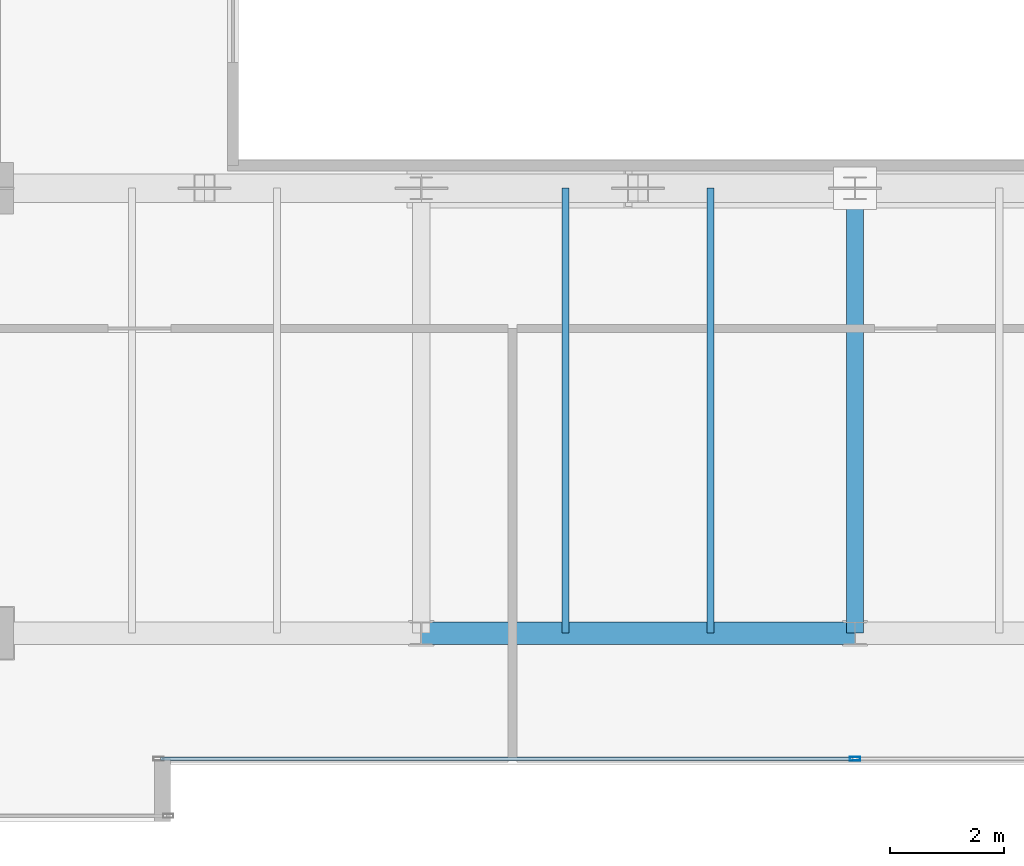
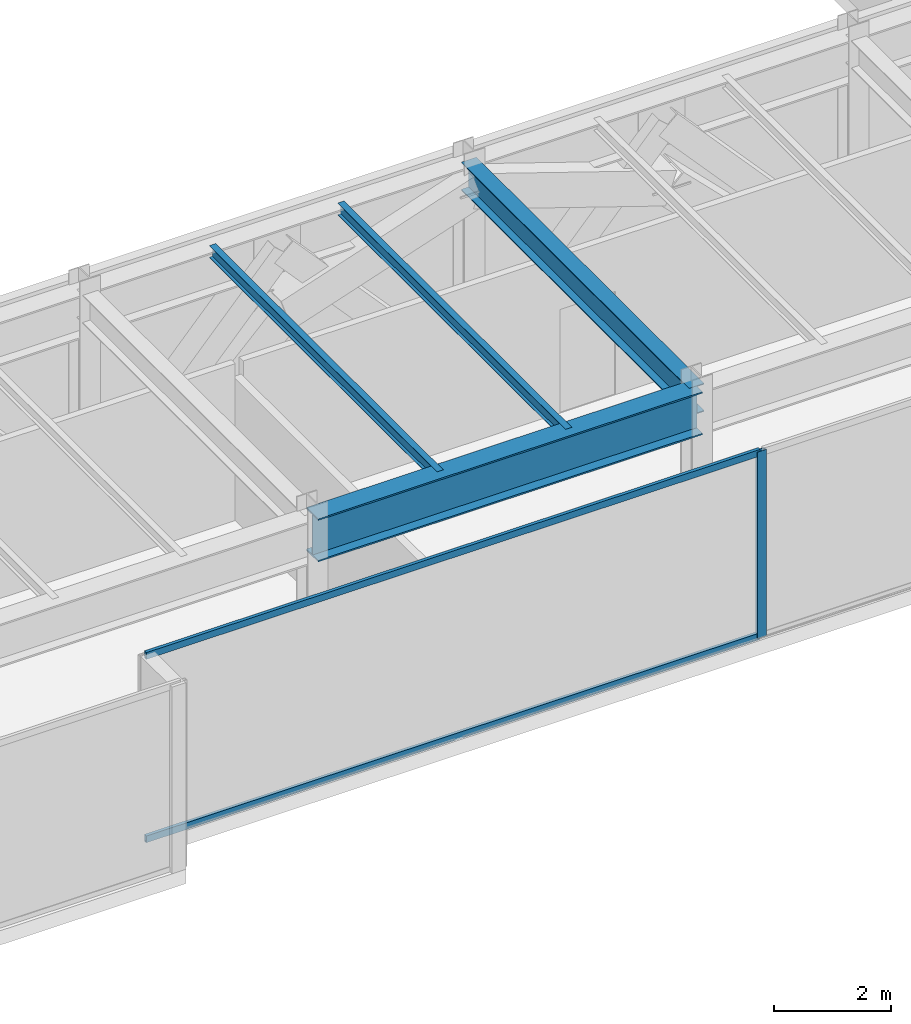
# One storey, part 7 of 32: 4 beams, 3 members, 1 element without a shape of its own.
"""IFC4 building model written with IfcOpenShell, lengths in metres."""

from ifc_helpers import new_model, si_unit, direction, frame, origin, origin_2d, place, context, subcontext, project, spatial, hollow_rectangle, i_section, extrude, source, transform, mapped, material, layer, layer_set, material_profile, profile_set, type_object, type_shapes, element, aggregate, save


model = new_model("IFC4")

# Units and contexts
model_context = context("Model", 3, precision=1e-05, world=origin(), true_north=direction((0.0, 1.0)))
body_context = subcontext(model_context, "Body", "Model", "MODEL_VIEW")
ifc_project = project(units=[si_unit("LENGTHUNIT", "METRE"), si_unit("AREAUNIT", "SQUARE_METRE"), si_unit("VOLUMEUNIT", "CUBIC_METRE"), si_unit("PLANEANGLEUNIT", "RADIAN"), si_unit("MASSUNIT", "GRAM", prefix="KILO")], contexts=[model_context])

# Site, building, storey
site_placement = place(None, origin())
site = spatial("IfcSite", under=ifc_project, at=site_placement, CompositionType="ELEMENT")
building_placement = place(site_placement, origin())
building = spatial("IfcBuilding", under=site, at=building_placement, Name="Haelvirn Gate Laboratories", CompositionType="ELEMENT")
storey_placement = place(building_placement, frame((0.0, 0.0, 314.39990234375)))
storey = spatial("IfcBuildingStorey", under=building, at=storey_placement, Name="L75", CompositionType="ELEMENT", Elevation=314.39990234375)

# Beams
ifc_material_1 = material(Name="Steel SM420", Category="steel")
ifc_material_profile_1 = material_profile(ifc_material_1, i_section(OverallWidth=0.39990234375, OverallDepth=0.89990234375, WebThickness=0.01904296875, FlangeThickness=0.031982421875, at=origin_2d()), Name="H-900x400x19x32")
ifc_profile_set_1 = profile_set([ifc_material_profile_1], Name="Steel SM420")
beam_type_1 = type_object("IfcBeamType", Name="BM-TG-900", PredefinedType="BEAM", material=ifc_profile_set_1)
shared_shape_1 = source(origin(), body_context, "Body", "SweptSolid", [
    extrude(i_section(OverallWidth=0.39990234375, OverallDepth=0.89990234375, WebThickness=0.01904296875, FlangeThickness=0.031982421875, at=origin_2d()), origin(), (0.0, 0.0, 1.0), 7.599853515625),
])
type_shapes(beam_type_1, [shared_shape_1])
beam_1_placement = place(storey_placement, frame((29.800048828125, 7.0, 3.4501953125), z_axis=(1.0, 0.0, 0.0), x_axis=(0.0, 1.0, 0.0)))
element("IfcBeam", 1, at=beam_1_placement, inside=storey, type_object=beam_type_1, Name="L75 Primary Girder Y7.0 (29.8-37.4)", PredefinedType="BEAM", context=body_context, shape_type="MappedRepresentation", body=[
    mapped(shared_shape_1, transform((0.0, 0.0, 0.0), scale=1.0)),
])
ifc_material_2 = material(Name="Steel SM355", Category="steel")
ifc_material_profile_2 = material_profile(ifc_material_2, i_section(OverallWidth=0.300048828125, OverallDepth=0.587890625, WebThickness=0.011962890625, FlangeThickness=0.02001953125, at=origin_2d()), Name="H-588x300x12x20")
ifc_profile_set_2 = profile_set([ifc_material_profile_2], Name="Steel SM355")
beam_type_2 = type_object("IfcBeamType", Name="BM-G-588", PredefinedType="BEAM", material=ifc_profile_set_2)
shared_shape_2 = source(origin(), body_context, "Body", "SweptSolid", [
    extrude(i_section(OverallWidth=0.300048828125, OverallDepth=0.587890625, WebThickness=0.011962890625, FlangeThickness=0.02001953125, at=origin_2d()), origin(), (0.0, 0.0, 1.0), 7.800048828125),
])
type_shapes(beam_type_2, [shared_shape_2])
beam_2_placement = place(storey_placement, frame((37.39990234375, 7.0, 3.606201171875), z_axis=(0.0, 1.0, 0.0), x_axis=(-1.0, 0.0, 0.0)))
element("IfcBeam", 2, at=beam_2_placement, inside=storey, type_object=beam_type_2, Name="L75 Frame Girder X37.4 (7.0-14.8)", PredefinedType="BEAM", context=body_context, shape_type="MappedRepresentation", body=[
    mapped(shared_shape_2, transform((0.0, 0.0, 0.0), scale=1.0)),
])
ifc_material_profile_3 = material_profile(ifc_material_2, i_section(OverallWidth=0.125, OverallDepth=0.25, WebThickness=0.006103515625, FlangeThickness=0.009033203125, at=origin_2d()), Name="H-250x125x6x9")
ifc_profile_set_3 = profile_set([ifc_material_profile_3], Name="Steel SM355")
beam_type_3 = type_object("IfcBeamType", Name="BM-J-250", PredefinedType="JOIST", material=ifc_profile_set_3)
shared_shape_3 = source(origin(), body_context, "Body", "SweptSolid", [
    extrude(i_section(OverallWidth=0.125, OverallDepth=0.25, WebThickness=0.006103515625, FlangeThickness=0.009033203125, at=origin_2d()), origin(), (0.0, 0.0, 1.0), 7.800048828125),
])
type_shapes(beam_type_3, [shared_shape_3])
for number, where, z_axis, x_axis, name in (
    (3, (32.330078125, 7.0, 3.775146484375), (0.0, 1.0, 0.0), (-1.0, 0.0, 0.0), "L75 Composite Lab Joist South X32.33"),
    (4, (34.8701171875, 7.0, 3.775146484375), (0.0, 1.0, 0.0), (-1.0, 0.0, 0.0), "L75 Composite Lab Joist South X34.87"),
):
    element("IfcBeam", number, at=place(storey_placement, frame(where, z_axis=z_axis, x_axis=x_axis)), inside=storey, type_object=beam_type_3, Name=name, PredefinedType="JOIST", context=body_context, shape_type="MappedRepresentation", body=[
        mapped(shared_shape_3, transform((0.0, 0.0, 0.0), scale=1.0)),
    ])

# Curtain wall, members
ifc_material_3 = material(Name="Anodised bronze unitised aluminium & triple low-E glass", Category="aluminium")
ifc_layer = layer(ifc_material_3, 0.176025390625, Name="CW-SYS-4")
ifc_layer_set = layer_set([ifc_layer], Name="Anodised bronze unitised aluminium & triple low-E glass")
curtain_wall_type = type_object("IfcCurtainWallType", Name="CW-SYS-4", PredefinedType="NOTDEFINED", material=ifc_layer_set)
curtain_wall_placement = place(storey_placement, origin())
curtain_wall = element("IfcCurtainWall", 5, at=curtain_wall_placement, inside=storey, type_object=curtain_wall_type, Name="L75 Unitised Curtain Wall CW-L75-P0-E02-1", PredefinedType="NOTDEFINED")
ifc_material_4 = material(Name="Extruded aluminium 6063-T6 (anodised bronze)", Category="aluminium")
ifc_material_profile_4 = material_profile(ifc_material_4, hollow_rectangle(XDim=0.06494140625, YDim=0.139892578125, WallThickness=0.00390625, at=origin_2d()), Name="CWT-140x65x4")
ifc_profile_set_4 = profile_set([ifc_material_profile_4], Name="Extruded aluminium 6063-T6 (anodised bronze)")
member_type_1 = type_object("IfcMemberType", Name="CWT-T140", PredefinedType="USERDEFINED", material=ifc_profile_set_4)
shared_shape_4 = source(origin(), body_context, "Body", "SweptSolid", [
    extrude(hollow_rectangle(XDim=0.06494140625, YDim=0.139892578125, WallThickness=0.00390625, at=origin_2d()), origin(), (0.0, 0.0, 1.0), 12.135009765625),
])
type_shapes(member_type_1, [shared_shape_4])
member_1_placement = place(storey_placement, frame((25.22998046875, 4.800048828125, 0.03271484375), z_axis=(1.0, 0.0, 0.0), x_axis=(0.0, 1.0, 0.0)))
member_1 = element("IfcMember", 6, at=member_1_placement, type_object=member_type_1, Name="CW4 transom 1.1", ObjectType="TRANSOM", PredefinedType="USERDEFINED", context=body_context, shape_type="MappedRepresentation", body=[
    mapped(shared_shape_4, transform((0.0, 0.0, 0.0), scale=1.0)),
])
member_2_placement = place(storey_placement, frame((25.22998046875, 4.800048828125, 3.86767578125), z_axis=(1.0, 0.0, 0.0), x_axis=(0.0, 1.0, 0.0)))
member_2 = element("IfcMember", 7, at=member_2_placement, type_object=member_type_1, Name="CW4 transom 1.2", ObjectType="TRANSOM", PredefinedType="USERDEFINED", context=body_context, shape_type="MappedRepresentation", body=[
    mapped(shared_shape_4, transform((0.0, 0.0, 0.0), scale=1.0)),
])
ifc_material_profile_5 = material_profile(ifc_material_4, hollow_rectangle(XDim=0.070068359375, YDim=0.179931640625, WallThickness=0.0048828125, at=origin_2d()), Name="CWM-180x70x5")
ifc_profile_set_5 = profile_set([ifc_material_profile_5], Name="Extruded aluminium 6063-T6 (anodised bronze)")
member_type_2 = type_object("IfcMemberType", Name="CWM-T180", PredefinedType="MULLION", material=ifc_profile_set_5)
shared_shape_5 = source(origin(), body_context, "Body", "SweptSolid", [
    extrude(hollow_rectangle(XDim=0.070068359375, YDim=0.179931640625, WallThickness=0.0048828125, at=origin_2d()), origin(), (0.0, 0.0, 1.0), 3.900146484375),
])
type_shapes(member_type_2, [shared_shape_5])
member_3_placement = place(storey_placement, frame((37.39990234375, 4.800048828125, 0.0), z_axis=(0.0, 0.0, 1.0), x_axis=(0.0, 1.0, 0.0)))
member_3 = element("IfcMember", 8, at=member_3_placement, type_object=member_type_2, Name="CW4 mullion 2", PredefinedType="MULLION", context=body_context, shape_type="MappedRepresentation", body=[
    mapped(shared_shape_5, transform((0.0, 0.0, 0.0), scale=1.0)),
])
aggregate(curtain_wall, [member_3, member_1, member_2])

save(model, "model.ifc")
